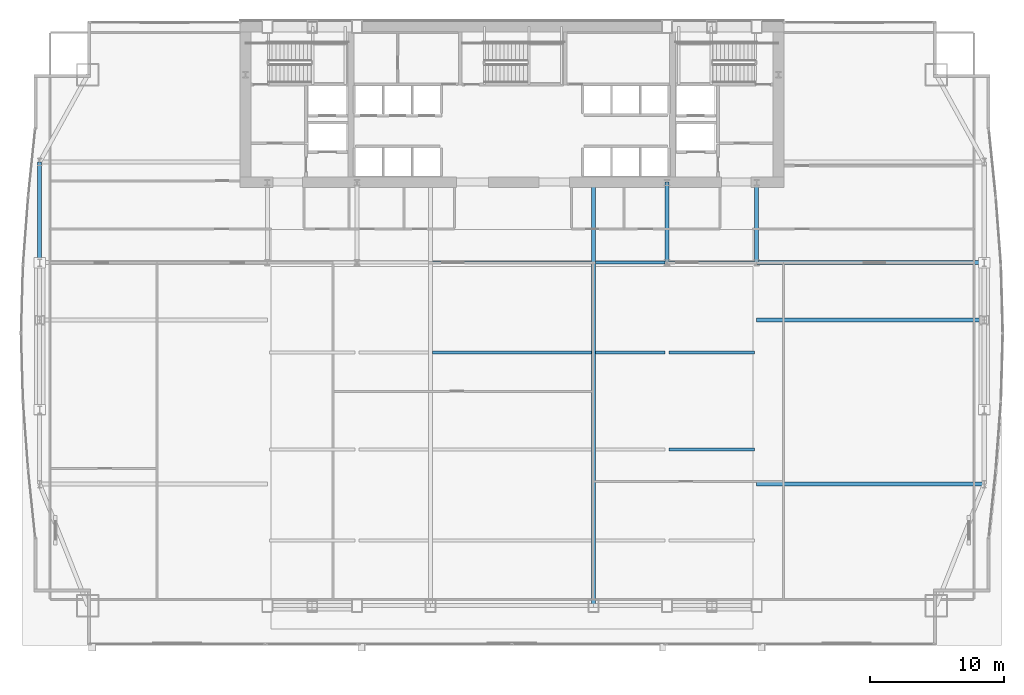
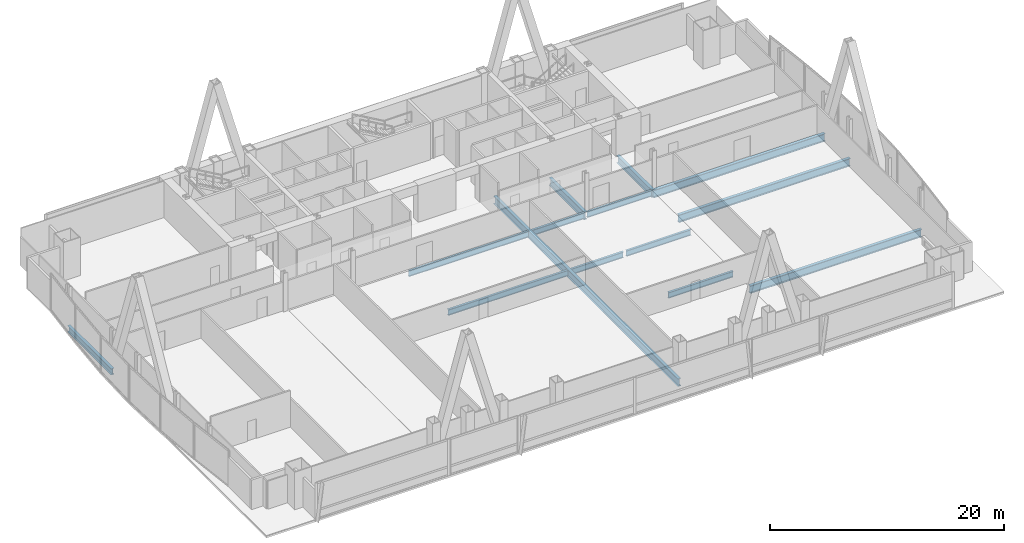
# One storey, part 15 of 35: 14 beams.
"""IFC4 building model written with IfcOpenShell, lengths in metres."""

from ifc_helpers import new_model, si_unit, direction, frame, origin, origin_2d, place, context, subcontext, project, spatial, i_section, extrude, material, material_profile, profile_set, type_object, element, save


model = new_model("IFC4")

# Units and contexts
model_context = context("Model", 3, precision=1e-05, world=origin(), true_north=direction((0.0, 1.0)))
body_context = subcontext(model_context, "Body", "Model", "MODEL_VIEW")
ifc_project = project(units=[si_unit("LENGTHUNIT", "METRE"), si_unit("AREAUNIT", "SQUARE_METRE"), si_unit("VOLUMEUNIT", "CUBIC_METRE"), si_unit("PLANEANGLEUNIT", "RADIAN"), si_unit("MASSUNIT", "GRAM", prefix="KILO")], contexts=[model_context])

# Site, building, storey
site_placement = place(None, origin())
site = spatial("IfcSite", under=ifc_project, at=site_placement, CompositionType="ELEMENT")
building_placement = place(site_placement, origin())
building = spatial("IfcBuilding", under=site, at=building_placement, Name="Khoronbel Lancet Exchange", CompositionType="ELEMENT")
storey_placement = place(building_placement, frame((0.0, 0.0, 25.800048828125)))
storey = spatial("IfcBuildingStorey", under=building, at=storey_placement, Name="L05", CompositionType="ELEMENT", Elevation=25.800048828125)

# Beams
ifc_material = material(Name="Steel S355", Category="steel")
ifc_material_profile_1 = material_profile(ifc_material, i_section(OverallWidth=0.300048828125, OverallDepth=0.800048828125, WebThickness=0.017578125, FlangeThickness=0.032958984375, at=origin_2d()), Name="HEB 800")
ifc_profile_set_1 = profile_set([ifc_material_profile_1], Name="Steel S355")
beam_type_1 = type_object("IfcBeamType", Name="BM-BG2", PredefinedType="BEAM", material=ifc_profile_set_1)
beam_1_placement = place(storey_placement, frame((42.52490234375, 10.14990234375, -0.580078125), z_axis=(0.0, 1.0, 0.0), x_axis=(-1.0, 0.0, 0.0)))
element("IfcBeam", 1, at=beam_1_placement, inside=storey, type_object=beam_type_1, Name="Level L05 primary floor girder G4", PredefinedType="BEAM", context=body_context, shape_type="SweptSolid", body=[
    extrude(i_section(OverallWidth=0.300048828125, OverallDepth=0.800048828125, WebThickness=0.017578125, FlangeThickness=0.032958984375, at=origin_2d()), origin(), (0.0, 0.0, 1.0), 31.550048828125),
])
for number, where, z_axis, x_axis, name in (
    (2, (48.0, 35.699951171875, -0.580078125), (0.0, 1.0, 0.0), (-1.0, 0.0, 0.0), "Level L05 spine tie girder GN5"),
    (3, (54.675048828125, 35.699951171875, -0.580078125), (0.0, 1.0, 0.0), (-1.0, 0.0, 0.0), "Level L05 spine tie girder GN6"),
):
    element("IfcBeam", number, at=place(storey_placement, frame(where, z_axis=z_axis, x_axis=x_axis)), inside=storey, type_object=beam_type_1, Name=name, PredefinedType="BEAM", context=body_context, shape_type="SweptSolid", body=[
        extrude(i_section(OverallWidth=0.300048828125, OverallDepth=0.800048828125, WebThickness=0.017578125, FlangeThickness=0.032958984375, at=origin_2d()), origin(), (0.0, 0.0, 1.0), 6.0),
    ])
for number, where, z_axis, x_axis, name in (
    (4, (54.675048828125, 19.199951171875, -0.580078125), (1.0, 0.0, 0.0), (0.0, 1.0, 0.0), "Level L05 east lens tie girder LG1E"),
    (5, (54.675048828125, 31.425048828125, -0.580078125), (1.0, 0.0, 0.0), (0.0, 1.0, 0.0), "Level L05 east lens tie girder LG2E"),
    (6, (54.675048828125, 35.699951171875, -0.580078125), (1.0, 0.0, 0.0), (0.0, 1.0, 0.0), "Level L05 east lens tie girder LG4E"),
):
    element("IfcBeam", number, at=place(storey_placement, frame(where, z_axis=z_axis, x_axis=x_axis)), inside=storey, type_object=beam_type_1, Name=name, PredefinedType="BEAM", context=body_context, shape_type="SweptSolid", body=[
        extrude(i_section(OverallWidth=0.300048828125, OverallDepth=0.800048828125, WebThickness=0.017578125, FlangeThickness=0.032958984375, at=origin_2d()), origin(), (0.0, 0.0, 1.0), 16.954833984375),
    ])
ifc_material_profile_2 = material_profile(ifc_material, i_section(OverallWidth=0.219970703125, OverallDepth=0.60009765625, WebThickness=0.011962890625, FlangeThickness=0.01904296875, at=origin_2d()), Name="IPE 600")
ifc_profile_set_2 = profile_set([ifc_material_profile_2], Name="Steel S355")
beam_type_2 = type_object("IfcBeamType", Name="BM-BJ1", PredefinedType="JOIST", material=ifc_profile_set_2)
beam_2_placement = place(storey_placement, frame((48.14990234375, 21.800048828125, -0.47998046875), z_axis=(1.0, 0.0, 0.0), x_axis=(0.0, 1.0, 0.0)))
element("IfcBeam", 7, at=beam_2_placement, inside=storey, type_object=beam_type_2, Name="Level L05 secondary composite joist J10", PredefinedType="JOIST", context=body_context, shape_type="SweptSolid", body=[
    extrude(i_section(OverallWidth=0.219970703125, OverallDepth=0.60009765625, WebThickness=0.011962890625, FlangeThickness=0.01904296875, at=origin_2d()), origin(), (0.0, 0.0, 1.0), 6.375),
])
beam_3_placement = place(storey_placement, frame((30.52490234375, 29.0, -0.47998046875), z_axis=(1.0, 0.0, 0.0), x_axis=(0.0, 1.0, 0.0)))
element("IfcBeam", 8, at=beam_3_placement, inside=storey, type_object=beam_type_2, Name="Level L05 secondary composite joist J13", PredefinedType="JOIST", context=body_context, shape_type="SweptSolid", body=[
    extrude(i_section(OverallWidth=0.219970703125, OverallDepth=0.60009765625, WebThickness=0.011962890625, FlangeThickness=0.01904296875, at=origin_2d()), origin(), (0.0, 0.0, 1.0), 11.85009765625),
])
beam_4_placement = place(storey_placement, frame((42.675048828125, 29.0, -0.47998046875), z_axis=(1.0, 0.0, 0.0), x_axis=(0.0, 1.0, 0.0)))
element("IfcBeam", 9, at=beam_4_placement, inside=storey, type_object=beam_type_2, Name="Level L05 secondary composite joist J14", PredefinedType="JOIST", context=body_context, shape_type="SweptSolid", body=[
    extrude(i_section(OverallWidth=0.219970703125, OverallDepth=0.60009765625, WebThickness=0.011962890625, FlangeThickness=0.01904296875, at=origin_2d()), origin(), (0.0, 0.0, 1.0), 5.175048828125),
])
beam_5_placement = place(storey_placement, frame((48.14990234375, 29.0, -0.47998046875), z_axis=(1.0, 0.0, 0.0), x_axis=(0.0, 1.0, 0.0)))
element("IfcBeam", 10, at=beam_5_placement, inside=storey, type_object=beam_type_2, Name="Level L05 secondary composite joist J15", PredefinedType="JOIST", context=body_context, shape_type="SweptSolid", body=[
    extrude(i_section(OverallWidth=0.219970703125, OverallDepth=0.60009765625, WebThickness=0.011962890625, FlangeThickness=0.01904296875, at=origin_2d()), origin(), (0.0, 0.0, 1.0), 6.375),
])
beam_6_placement = place(storey_placement, frame((30.52490234375, 35.699951171875, -0.47998046875), z_axis=(1.0, 0.0, 0.0), x_axis=(0.0, 1.0, 0.0)))
element("IfcBeam", 11, at=beam_6_placement, inside=storey, type_object=beam_type_2, Name="Level L05 secondary composite joist J18", PredefinedType="JOIST", context=body_context, shape_type="SweptSolid", body=[
    extrude(i_section(OverallWidth=0.219970703125, OverallDepth=0.60009765625, WebThickness=0.011962890625, FlangeThickness=0.01904296875, at=origin_2d()), origin(), (0.0, 0.0, 1.0), 11.85009765625),
])
beam_7_placement = place(storey_placement, frame((42.675048828125, 35.699951171875, -0.47998046875), z_axis=(1.0, 0.0, 0.0), x_axis=(0.0, 1.0, 0.0)))
element("IfcBeam", 12, at=beam_7_placement, inside=storey, type_object=beam_type_2, Name="Level L05 secondary composite joist J19", PredefinedType="JOIST", context=body_context, shape_type="SweptSolid", body=[
    extrude(i_section(OverallWidth=0.219970703125, OverallDepth=0.60009765625, WebThickness=0.011962890625, FlangeThickness=0.01904296875, at=origin_2d()), origin(), (0.0, 0.0, 1.0), 5.175048828125),
])
beam_8_placement = place(storey_placement, frame((48.14990234375, 35.699951171875, -0.47998046875), z_axis=(1.0, 0.0, 0.0), x_axis=(0.0, 1.0, 0.0)))
element("IfcBeam", 13, at=beam_8_placement, inside=storey, type_object=beam_type_2, Name="Level L05 secondary composite joist J20", PredefinedType="JOIST", context=body_context, shape_type="SweptSolid", body=[
    extrude(i_section(OverallWidth=0.219970703125, OverallDepth=0.60009765625, WebThickness=0.011962890625, FlangeThickness=0.01904296875, at=origin_2d()), origin(), (0.0, 0.0, 1.0), 6.375),
])
ifc_material_profile_3 = material_profile(ifc_material, i_section(OverallWidth=0.300048828125, OverallDepth=0.64990234375, WebThickness=0.01611328125, FlangeThickness=0.031005859375, at=origin_2d()), Name="HEB 650")
ifc_profile_set_3 = profile_set([ifc_material_profile_3], Name="Steel S355")
beam_type_3 = type_object("IfcBeamType", Name="BM-BSP1", PredefinedType="SPANDREL", material=ifc_profile_set_3)
beam_9_placement = place(storey_placement, frame((1.27001953125, 43.199951171875, -0.505126953125), z_axis=(0.0, -1.0, 0.0), x_axis=(1.0, 0.0, 0.0)))
element("IfcBeam", 14, at=beam_9_placement, inside=storey, type_object=beam_type_3, Name="Level L05 perimeter spandrel beam SP15", PredefinedType="SPANDREL", context=body_context, shape_type="SweptSolid", body=[
    extrude(i_section(OverallWidth=0.300048828125, OverallDepth=0.64990234375, WebThickness=0.01611328125, FlangeThickness=0.031005859375, at=origin_2d()), origin(), (0.0, 0.0, 1.0), 7.5),
])

save(model, "model.ifc")
